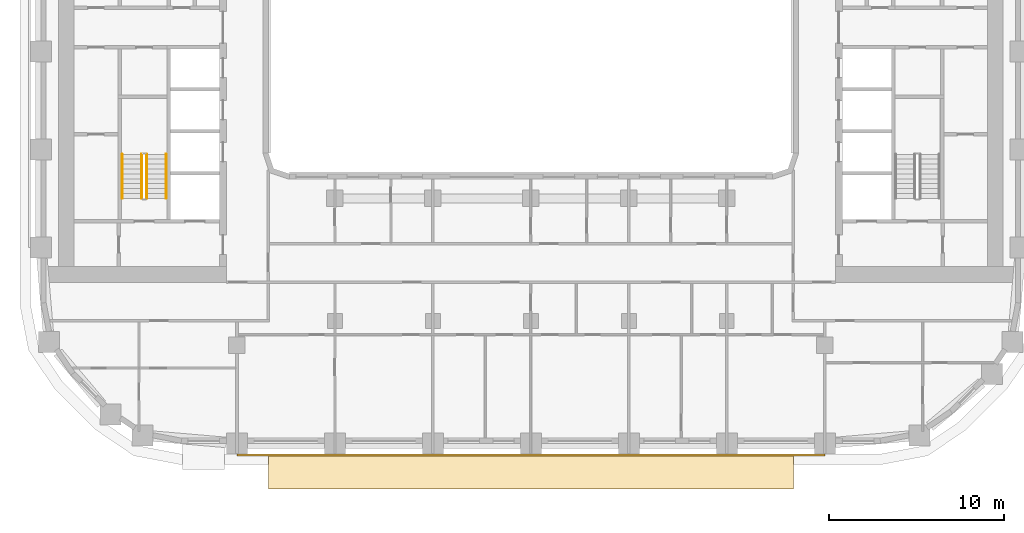
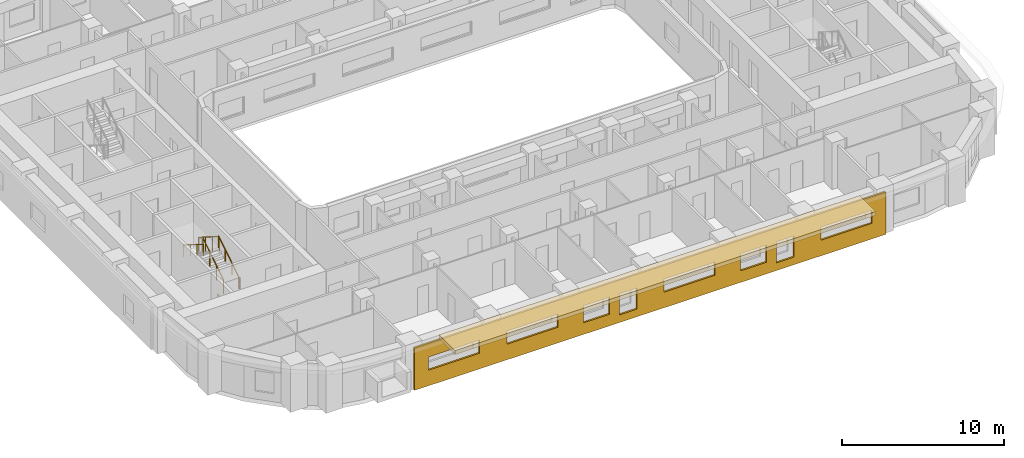
# One storey, part 14 of 23: 4 railings, 2 coverings.
"""IFC4 building model written with IfcOpenShell, lengths in metres."""

from ifc_helpers import new_model, si_unit, direction, frame, origin, origin_2d, place, context, subcontext, project, spatial, polyline, circle, outline, extrude, material, layer, layer_set, type_object, element, save


model = new_model("IFC4")

# Units and contexts
model_context = context("Model", 3, precision=1e-05, world=origin(), true_north=direction((0.0, 1.0)))
body_context = subcontext(model_context, "Body", "Model", "MODEL_VIEW")
ifc_project = project(units=[si_unit("LENGTHUNIT", "METRE"), si_unit("AREAUNIT", "SQUARE_METRE"), si_unit("VOLUMEUNIT", "CUBIC_METRE"), si_unit("PLANEANGLEUNIT", "RADIAN"), si_unit("MASSUNIT", "GRAM", prefix="KILO")], contexts=[model_context])

# Site, building, storey
site_placement = place(None, origin())
site = spatial("IfcSite", under=ifc_project, at=site_placement, CompositionType="ELEMENT")
building_placement = place(site_placement, origin())
building = spatial("IfcBuilding", under=site, at=building_placement, Name="Kiln Ring Residences", CompositionType="ELEMENT")
storey_placement = place(building_placement, frame((0.0, 0.0, 118.300048828125)))
storey = spatial("IfcBuildingStorey", under=building, at=storey_placement, Name="L30", CompositionType="ELEMENT", Elevation=118.300048828125)

# Railings
ifc_material_1 = material(Name="Stainless steel", Category="steel")
railing_type_1 = type_object("IfcRailingType", Name="CORE-STAIR-GUARD", PredefinedType="GUARDRAIL", material=ifc_material_1)
railing_1_placement = place(storey_placement, frame((-21.949951171875, -8.39990234375, 0.175048828125)))
element("IfcRailing", 1, at=railing_1_placement, inside=storey, type_object=railing_type_1, Name="L30 W-STS stair guard 1", PredefinedType="GUARDRAIL", context=body_context, shape_type="SweptSolid", body=[
    extrude(circle(Radius=0.02392578125, at=origin_2d()), frame((0.0, 0.0, 1.076171875), z_axis=(0.0, 0.848007534815, 0.529984170421), x_axis=(-1.0, 0.0, 0.0)), (0.0, 0.0, 1.0), 2.9716796875),
    extrude(circle(Radius=0.02099609375, at=origin_2d()), origin(), (0.0, 0.0, 1.0), 1.052001953125),
    extrude(circle(Radius=0.02099609375, at=origin_2d()), frame((0.0, 0.840087890625, 0.52490234375)), (0.0, 0.0, 1.0), 1.052001953125),
    extrude(circle(Radius=0.02099609375, at=origin_2d()), frame((0.0, 1.679931640625, 1.050048828125)), (0.0, 0.0, 1.0), 1.052001953125),
    extrude(circle(Radius=0.02099609375, at=origin_2d()), frame((0.0, 2.52001953125, 1.574951171875)), (0.0, 0.0, 1.0), 1.052001953125),
])
railing_2_placement = place(storey_placement, frame((-22.25, -5.8798828125, 1.925048828125)))
element("IfcRailing", 2, at=railing_2_placement, inside=storey, type_object=railing_type_1, Name="L30 W-STS stair guard 3", PredefinedType="GUARDRAIL", context=body_context, shape_type="SweptSolid", body=[
    extrude(circle(Radius=0.02392578125, at=origin_2d()), frame((0.0, 0.0, 1.076171875), z_axis=(0.0, -0.848007534815, 0.529984170421), x_axis=(1.0, 0.0, 0.0)), (0.0, 0.0, 1.0), 2.9716796875),
    extrude(circle(Radius=0.02099609375, at=origin_2d()), origin(), (0.0, 0.0, 1.0), 1.052001953125),
    extrude(circle(Radius=0.02099609375, at=origin_2d()), frame((0.0, -0.840087890625, 0.52490234375)), (0.0, 0.0, 1.0), 1.052001953125),
    extrude(circle(Radius=0.02099609375, at=origin_2d()), frame((0.0, -1.679931640625, 1.050048828125)), (0.0, 0.0, 1.0), 1.052001953125),
    extrude(circle(Radius=0.02099609375, at=origin_2d()), frame((0.0, -2.52001953125, 1.574951171875)), (0.0, 0.0, 1.0), 1.052001953125),
])
ifc_material_2 = material(Name="Stainless steel", Category="steel")
railing_type_2 = type_object("IfcRailingType", Name="CORE-STAIR-HANDRAIL", PredefinedType="HANDRAIL", material=ifc_material_2)
railing_3_placement = place(storey_placement, frame((-20.85009765625, -8.39990234375, 0.175048828125)))
element("IfcRailing", 3, at=railing_3_placement, inside=storey, type_object=railing_type_2, Name="L30 W-STS stair handrail 1", PredefinedType="HANDRAIL", context=body_context, shape_type="SweptSolid", body=[
    extrude(circle(Radius=0.02392578125, at=origin_2d()), frame((0.0, 0.0, 0.8759765625), z_axis=(0.0, 0.848007534815, 0.529984170421), x_axis=(-1.0, 0.0, 0.0)), (0.0, 0.0, 1.0), 2.9716796875),
    extrude(circle(Radius=0.02099609375, at=origin_2d()), origin(), (0.0, 0.0, 1.0), 0.851806640625),
    extrude(circle(Radius=0.02099609375, at=origin_2d()), frame((0.0, 0.840087890625, 0.52490234375)), (0.0, 0.0, 1.0), 0.851806640625),
    extrude(circle(Radius=0.02099609375, at=origin_2d()), frame((0.0, 1.679931640625, 1.050048828125)), (0.0, 0.0, 1.0), 0.851806640625),
    extrude(circle(Radius=0.02099609375, at=origin_2d()), frame((0.0, 2.52001953125, 1.574951171875)), (0.0, 0.0, 1.0), 0.851806640625),
])
railing_4_placement = place(storey_placement, frame((-23.35009765625, -5.8798828125, 1.925048828125)))
element("IfcRailing", 4, at=railing_4_placement, inside=storey, type_object=railing_type_2, Name="L30 W-STS stair handrail 2", PredefinedType="HANDRAIL", context=body_context, shape_type="SweptSolid", body=[
    extrude(circle(Radius=0.02392578125, at=origin_2d()), frame((0.0, 0.0, 0.8759765625), z_axis=(0.0, -0.848007534815, 0.529984170421), x_axis=(1.0, 0.0, 0.0)), (0.0, 0.0, 1.0), 2.9716796875),
    extrude(circle(Radius=0.02099609375, at=origin_2d()), origin(), (0.0, 0.0, 1.0), 0.851806640625),
    extrude(circle(Radius=0.02099609375, at=origin_2d()), frame((0.0, -0.840087890625, 0.52490234375)), (0.0, 0.0, 1.0), 0.851806640625),
    extrude(circle(Radius=0.02099609375, at=origin_2d()), frame((0.0, -1.679931640625, 1.050048828125)), (0.0, 0.0, 1.0), 0.851806640625),
    extrude(circle(Radius=0.02099609375, at=origin_2d()), frame((0.0, -2.52001953125, 1.574951171875)), (0.0, 0.0, 1.0), 0.851806640625),
])

# Coverings
ifc_material_3 = material(Name="Brick masonry, dark clay brick", Category="masonry")
ifc_layer_1 = layer(ifc_material_3, 0.1201171875)
ifc_layer_set_1 = layer_set([ifc_layer_1], Name="RAINSCREEN PANEL 120")
covering_type_1 = type_object("IfcCoveringType", Name="RAINSCREEN PANEL 120", PredefinedType="CLADDING", material=ifc_layer_set_1)
covering_1_placement = place(storey_placement, frame((-16.800048828125, -23.06005859375, 0.0), z_axis=(0.0, 0.0, 1.0), x_axis=(1.0, 0.0, 0.0)))
element("IfcCovering", 5, at=covering_1_placement, inside=storey, type_object=covering_type_1, Name="RAINSCREEN L30", PredefinedType="CLADDING", context=body_context, shape_type="SweptSolid", body=[
    extrude(outline(polyline([(0.0, 0.0), (33.60009765625, 0.0), (33.60009765625, 3.199951171875), (0.0, 3.199951171875), (0.0, 0.0)]), holes=[polyline([(14.617431640625, 0.579833984375), (15.857421875, 0.579833984375), (15.857421875, 2.169921875), (14.617431640625, 2.169921875), (14.617431640625, 0.579833984375)]), polyline([(25.8173828125, 0.579833984375), (27.0576171875, 0.579833984375), (27.0576171875, 2.169921875), (25.8173828125, 2.169921875), (25.8173828125, 0.579833984375)]), polyline([(12.04248046875, 0.8798828125), (13.882568359375, 0.8798828125), (13.882568359375, 2.169921875), (12.04248046875, 2.169921875), (12.04248046875, 0.8798828125)]), polyline([(23.242431640625, 0.8798828125), (25.08251953125, 0.8798828125), (25.08251953125, 2.169921875), (23.242431640625, 2.169921875), (23.242431640625, 0.8798828125)]), polyline([(0.97998046875, 1.179931640625), (4.6201171875, 1.179931640625), (4.6201171875, 2.169921875), (0.97998046875, 2.169921875), (0.97998046875, 1.179931640625)]), polyline([(6.580078125, 1.179931640625), (10.219970703125, 1.179931640625), (10.219970703125, 2.169921875), (6.580078125, 2.169921875), (6.580078125, 1.179931640625)]), polyline([(17.780029296875, 1.179931640625), (21.419921875, 1.179931640625), (21.419921875, 2.169921875), (17.780029296875, 2.169921875), (17.780029296875, 1.179931640625)]), polyline([(28.97998046875, 1.179931640625), (32.6201171875, 1.179931640625), (32.6201171875, 2.169921875), (28.97998046875, 2.169921875), (28.97998046875, 1.179931640625)])]), frame((0.0, 0.06005859375, 0.0), z_axis=(0.0, -1.0, 0.0), x_axis=(1.0, 0.0, 0.0)), (0.0, 0.0, 1.0), 0.1201171875),
])
ifc_material_4 = material(Name="Black powder-coated steel", Category="steel")
ifc_layer_2 = layer(ifc_material_4, 0.300048828125)
ifc_layer_set_2 = layer_set([ifc_layer_2], Name="SUNSHADE BAND 2000")
covering_type_2 = type_object("IfcCoveringType", Name="SUNSHADE BAND 2000", PredefinedType="CLADDING", material=ifc_layer_set_2)
covering_2_placement = place(storey_placement, frame((0.0, 0.0, 3.199951171875)))
element("IfcCovering", 6, at=covering_2_placement, inside=storey, type_object=covering_type_2, Name="SUNSHADE BAND L30", PredefinedType="CLADDING", context=body_context, shape_type="SweptSolid", body=[
    extrude(outline(polyline([(-15.0, -25.0), (15.0, -25.0), (15.0, -23.0), (-15.0, -23.0), (-15.0, -25.0)])), origin(), (0.0, 0.0, 1.0), 0.300048828125),
])

save(model, "model.ifc")
